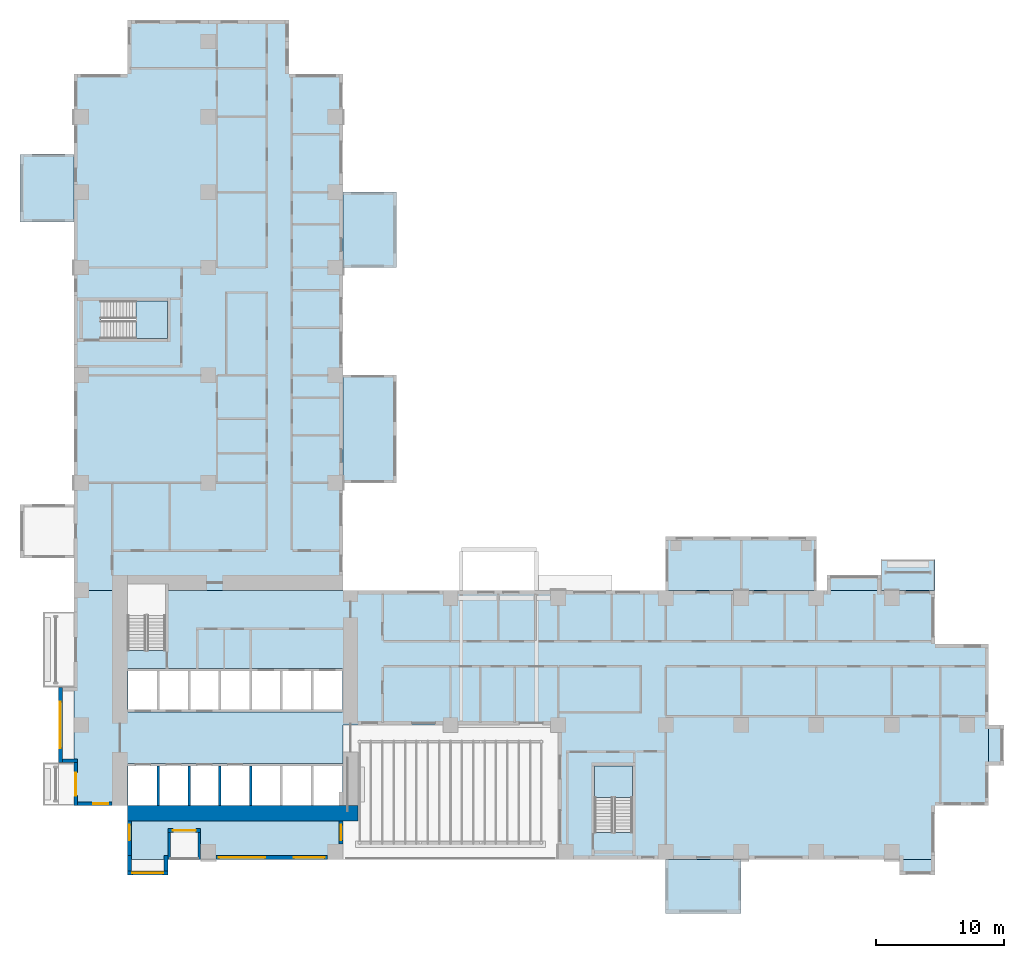
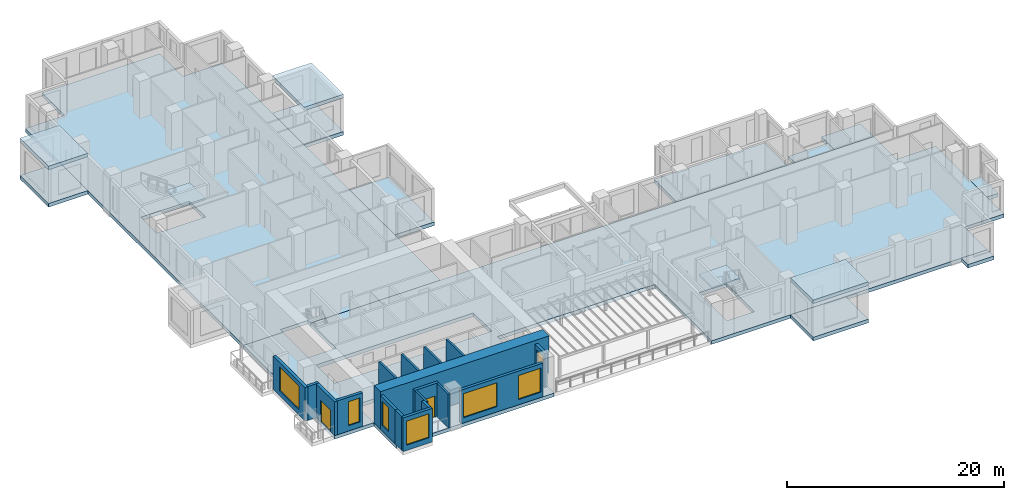
# One storey, part 3 of 17: 18 walls, 16 slabs, 7 windows, 2 doors, 9 openings, 2 elements without a shape of their own.
"""IFC4 building model written with IfcOpenShell, lengths in metres."""

from ifc_helpers import new_model, si_unit, direction, frame, frame_2d, origin, place, context, subcontext, project, spatial, polyline, rectangle, outline, extrude, source, transform, mapped, material, layer, layer_set, type_object, element, fill, aggregate, save


model = new_model("IFC4")

# Units and contexts
model_context = context("Model", 3, precision=1e-05, world=origin(), true_north=direction((0.0, 1.0)))
body_context = subcontext(model_context, "Body", "Model", "MODEL_VIEW")
ifc_project = project(units=[si_unit("LENGTHUNIT", "METRE"), si_unit("AREAUNIT", "SQUARE_METRE"), si_unit("VOLUMEUNIT", "CUBIC_METRE"), si_unit("PLANEANGLEUNIT", "RADIAN"), si_unit("MASSUNIT", "GRAM", prefix="KILO")], contexts=[model_context])

# Site, building, storey
site_placement = place(None, origin())
site = spatial("IfcSite", under=ifc_project, at=site_placement, CompositionType="ELEMENT")
building_placement = place(site_placement, origin())
building = spatial("IfcBuilding", under=site, at=building_placement, Name="Aurelian Terraces", CompositionType="ELEMENT")
storey_placement = place(building_placement, frame((0.0, 0.0, 48.9)))
storey = spatial("IfcBuildingStorey", under=building, at=storey_placement, Name="L09", CompositionType="ELEMENT", Elevation=48.9)

# Slabs
ifc_material_1 = material(Name="Concrete fc' 40 MPa", Category="concrete")
ifc_layer_1 = layer(ifc_material_1, 0.4)
ifc_layer_set_1 = layer_set([ifc_layer_1], Name="Balcony slab 400")
slab_type_1 = type_object("IfcSlabType", Name="Balcony slab 400", PredefinedType="NOTDEFINED", material=ifc_layer_set_1)
slab_1_placement = place(storey_placement, frame((0.0, 0.0, -0.4)))
element("IfcSlab", 1, at=slab_1_placement, inside=storey, type_object=slab_type_1, Name="Balcony slab L09 F11.22", PredefinedType="NOTDEFINED", context=body_context, shape_type="SweptSolid", body=[
    extrude(outline(polyline([(67.2, 21.0), (63.0, 21.0), (63.0, 23.4), (67.2, 23.4), (67.2, 21.0)])), origin(), (0.0, 0.0, 1.0), 0.4),
])
ifc_layer_2 = layer(ifc_material_1, 0.4)
ifc_layer_set_2 = layer_set([ifc_layer_2], Name="Bay floor 400")
slab_type_2 = type_object("IfcSlabType", Name="Bay floor 400", PredefinedType="NOTDEFINED", material=ifc_layer_set_2)
slab_2_placement = place(storey_placement, frame((0.0, 0.0, -0.4)))
element("IfcSlab", 2, at=slab_2_placement, inside=storey, type_object=slab_type_2, Name="Bay floor L09 F05.13", PredefinedType="NOTDEFINED", context=body_context, shape_type="SweptSolid", body=[
    extrude(outline(polyline([(64.44, 0.0), (67.2, 0.0), (67.2, -1.2), (64.44, -1.2), (64.44, 0.0)])), origin(), (0.0, 0.0, 1.0), 0.4),
])
ifc_layer_3 = layer(ifc_material_1, 0.41)
ifc_layer_set_3 = layer_set([ifc_layer_3], Name="Box floor 410")
slab_type_3 = type_object("IfcSlabType", Name="Box floor 410", PredefinedType="NOTDEFINED", material=ifc_layer_set_3)
slab_3_placement = place(storey_placement, frame((0.0, 0.0, -0.41)))
element("IfcSlab", 3, at=slab_3_placement, inside=storey, type_object=slab_type_3, Name="Box floor L09 J05", PredefinedType="NOTDEFINED", context=body_context, shape_type="SweptSolid", body=[
    extrude(outline(polyline([(25.2, 29.4), (25.2, 37.8), (21.0, 37.8), (21.0, 29.4), (25.2, 29.4)])), origin(), (0.0, 0.0, 1.0), 0.41),
])
slab_4_placement = place(storey_placement, frame((0.0, 0.0, -0.41)))
element("IfcSlab", 4, at=slab_4_placement, inside=storey, type_object=slab_type_3, Name="Box floor L09 K01", PredefinedType="NOTDEFINED", context=body_context, shape_type="SweptSolid", body=[
    extrude(outline(polyline([(57.96, 25.2), (46.2, 25.2), (46.2, 21.0), (57.96, 21.0), (57.96, 25.2)])), origin(), (0.0, 0.0, 1.0), 0.41),
])
ifc_layer_4 = layer(ifc_material_1, 0.4)
ifc_layer_set_4 = layer_set([ifc_layer_4], Name="Box roof 400")
slab_type_4 = type_object("IfcSlabType", Name="Box roof 400", PredefinedType="ROOF", material=ifc_layer_set_4)
slab_5_placement = place(storey_placement, frame((0.0, 0.0, 3.8)))
element("IfcSlab", 5, at=slab_5_placement, inside=storey, type_object=slab_type_4, Name="Box roof J01", PredefinedType="ROOF", context=body_context, shape_type="SweptSolid", body=[
    extrude(outline(polyline([(46.2, -4.2), (52.08, -4.2), (52.08, 0.0), (46.2, 0.0), (46.2, -4.2)])), origin(), (0.0, 0.0, 1.0), 0.4),
])
slab_6_placement = place(storey_placement, frame((0.0, 0.0, 3.8)))
element("IfcSlab", 6, at=slab_6_placement, inside=storey, type_object=slab_type_4, Name="Box roof J02", PredefinedType="ROOF", context=body_context, shape_type="SweptSolid", body=[
    extrude(outline(polyline([(25.2, 46.2), (25.2, 52.08), (21.0, 52.08), (21.0, 46.2), (25.2, 46.2)])), origin(), (0.0, 0.0, 1.0), 0.4),
])
slab_7_placement = place(storey_placement, frame((0.0, 0.0, 3.8)))
element("IfcSlab", 7, at=slab_7_placement, inside=storey, type_object=slab_type_4, Name="Box roof J04", PredefinedType="ROOF", context=body_context, shape_type="SweptSolid", body=[
    extrude(outline(polyline([(-4.2, 55.02), (-4.2, 49.77), (0.0, 49.77), (0.0, 55.02), (-4.2, 55.02)])), origin(), (0.0, 0.0, 1.0), 0.4),
])
ifc_layer_5 = layer(ifc_material_1, 0.4)
ifc_layer_set_5 = layer_set([ifc_layer_5], Name="PT FLAT PLATE 400")
slab_type_5 = type_object("IfcSlabType", Name="PT FLAT PLATE 400", PredefinedType="FLOOR", material=ifc_layer_set_5)
slab_8_placement = place(storey_placement, frame((0.0, 0.0, -0.4)))
element("IfcSlab", 8, at=slab_8_placement, inside=storey, type_object=slab_type_5, Name="Floor slab S L09", PredefinedType="FLOOR", context=body_context, shape_type="SweptSolid", body=[
    extrude(outline(polyline([(71.4, 16.8), (71.4, 4.2), (67.2, 4.2), (67.2, 0.0), (37.8, 0.0), (37.8, 10.5), (21.0, 10.5), (21.0, 0.0), (4.2, 0.0), (4.2, 4.2), (0.0, 4.2), (0.0, 21.0), (4.21, 21.0), (4.21, 16.31), (7.14, 16.31), (7.14, 21.0), (21.0, 21.0), (67.2, 21.0), (67.2, 16.8), (71.4, 16.8)]), holes=[polyline([(40.66, 2.11), (43.59, 2.11), (43.59, 7.29), (40.66, 7.29), (40.66, 2.11)]), polyline([(4.21, 7.49), (4.21, 4.21), (20.99, 4.21), (20.99, 7.49), (4.21, 7.49)]), polyline([(4.21, 14.89), (4.21, 11.51), (20.99, 11.51), (20.99, 14.89), (4.21, 14.89)])]), origin(), (0.0, 0.0, 1.0), 0.4),
])
shared_shape_1 = source(origin(), body_context, "Body", "SweptSolid", [
    extrude(outline(polyline([(7.14, 21.0), (7.14, 21.49), (4.21, 21.49), (4.21, 21.0), (0.0, 21.0), (0.0, 61.32), (4.2, 61.32), (4.2, 65.52), (16.8, 65.52), (16.8, 61.32), (21.0, 61.32), (21.0, 21.0), (7.14, 21.0)]), holes=[polyline([(7.29, 43.59), (2.11, 43.59), (2.11, 40.66), (7.29, 40.66), (7.29, 43.59)])]), origin(), (0.0, 0.0, 1.0), 0.4),
])
slab_9_placement = place(storey_placement, frame((0.0, 0.0, -0.4)))
element("IfcSlab", 9, at=slab_9_placement, inside=storey, type_object=slab_type_5, Name="Floor slab W L09", PredefinedType="FLOOR", context=body_context, shape_type="MappedRepresentation", body=[
    mapped(shared_shape_1, transform((0.0, 0.0, 0.0), scale=1.0)),
])
shared_shape_2 = source(origin(), body_context, "Body", "SweptSolid", [
    extrude(outline(polyline([(63.0, 21.0), (58.8, 21.0), (58.8, 22.2), (63.0, 22.2), (63.0, 21.0)])), origin(), (0.0, 0.0, 1.0), 0.4),
])
slab_10_placement = place(storey_placement, frame((0.0, 0.0, -0.4)))
element("IfcSlab", 10, at=slab_10_placement, inside=storey, type_object=slab_type_2, Name="Bay floor L09 F11.23", PredefinedType="NOTDEFINED", context=body_context, shape_type="MappedRepresentation", body=[
    mapped(shared_shape_2, transform((0.0, 0.0, 0.0), scale=1.0)),
])
shared_shape_3 = source(origin(), body_context, "Body", "SweptSolid", [
    extrude(outline(polyline([(46.2, -4.2), (52.08, -4.2), (52.08, 0.0), (46.2, 0.0), (46.2, -4.2)])), origin(), (0.0, 0.0, 1.0), 0.41),
])
slab_11_placement = place(storey_placement, frame((0.0, 0.0, -0.41)))
element("IfcSlab", 11, at=slab_11_placement, inside=storey, type_object=slab_type_3, Name="Box floor L09 J01", PredefinedType="NOTDEFINED", context=body_context, shape_type="MappedRepresentation", body=[
    mapped(shared_shape_3, transform((0.0, 0.0, 0.0), scale=1.0)),
])
shared_shape_4 = source(origin(), body_context, "Body", "SweptSolid", [
    extrude(outline(polyline([(25.2, 46.2), (25.2, 52.08), (21.0, 52.08), (21.0, 46.2), (25.2, 46.2)])), origin(), (0.0, 0.0, 1.0), 0.41),
])
slab_12_placement = place(storey_placement, frame((0.0, 0.0, -0.41)))
element("IfcSlab", 12, at=slab_12_placement, inside=storey, type_object=slab_type_3, Name="Box floor L09 J02", PredefinedType="NOTDEFINED", context=body_context, shape_type="MappedRepresentation", body=[
    mapped(shared_shape_4, transform((0.0, 0.0, 0.0), scale=1.0)),
])
shared_shape_5 = source(origin(), body_context, "Body", "SweptSolid", [
    extrude(outline(polyline([(-4.2, 55.02), (-4.2, 49.77), (0.0, 49.77), (0.0, 55.02), (-4.2, 55.02)])), origin(), (0.0, 0.0, 1.0), 0.41),
])
slab_13_placement = place(storey_placement, frame((0.0, 0.0, -0.41)))
element("IfcSlab", 13, at=slab_13_placement, inside=storey, type_object=slab_type_3, Name="Box floor L09 J04", PredefinedType="NOTDEFINED", context=body_context, shape_type="MappedRepresentation", body=[
    mapped(shared_shape_5, transform((0.0, 0.0, 0.0), scale=1.0)),
])
shared_shape_6 = source(origin(), body_context, "Body", "SweptSolid", [
    extrude(outline(polyline([(71.4, 7.35), (71.4, 10.5), (72.6, 10.5), (72.6, 7.35), (71.4, 7.35)])), origin(), (0.0, 0.0, 1.0), 0.4),
])
slab_14_placement = place(storey_placement, frame((0.0, 0.0, -0.4)))
element("IfcSlab", 14, at=slab_14_placement, inside=storey, type_object=slab_type_2, Name="Bay floor L09 F08.18", PredefinedType="NOTDEFINED", context=body_context, shape_type="MappedRepresentation", body=[
    mapped(shared_shape_6, transform((0.0, 0.0, 0.0), scale=1.0)),
])

# Stair, slab
stair_type = type_object("IfcStairType", Name="Stair 1400", PredefinedType="HALF_TURN_STAIR", material=ifc_material_1)
stair_1_placement = place(storey_placement, origin())
stair_1 = element("IfcStair", 15, at=stair_1_placement, inside=storey, type_object=stair_type, Name="L09 S2", PredefinedType="HALF_TURN_STAIR")
ifc_layer_6 = layer(ifc_material_1, 0.2)
ifc_layer_set_6 = layer_set([ifc_layer_6], Name="Stair landing 200")
slab_type_6 = type_object("IfcSlabType", Name="Stair landing 200", PredefinedType="LANDING", material=ifc_layer_set_6)
shared_shape_7 = source(origin(), body_context, "Body", "SweptSolid", [
    extrude(outline(polyline([(43.6, 4.85), (43.6, 7.3), (40.65, 7.3), (40.65, 4.85), (43.6, 4.85)])), origin(), (0.0, 0.0, 1.0), 0.2),
])
slab_15_placement = place(storey_placement, frame((0.0, 0.0, 1.9)))
slab_15 = element("IfcSlab", 16, at=slab_15_placement, type_object=slab_type_6, Name="S2 landing 1", PredefinedType="LANDING", context=body_context, shape_type="MappedRepresentation", body=[
    mapped(shared_shape_7, transform((0.0, 0.0, 0.0), scale=1.0)),
])
aggregate(stair_1, [slab_15])

stair_2_placement = place(storey_placement, origin())
stair_2 = element("IfcStair", 17, at=stair_2_placement, inside=storey, type_object=stair_type, Name="L09 S3", PredefinedType="HALF_TURN_STAIR")
shared_shape_8 = source(origin(), body_context, "Body", "SweptSolid", [
    extrude(outline(polyline([(4.85, 40.65), (7.3, 40.65), (7.3, 43.6), (4.85, 43.6), (4.85, 40.65)])), origin(), (0.0, 0.0, 1.0), 0.2),
])
slab_16_placement = place(storey_placement, frame((0.0, 0.0, 1.9)))
slab_16 = element("IfcSlab", 18, at=slab_16_placement, type_object=slab_type_6, Name="S3 landing 1", PredefinedType="LANDING", context=body_context, shape_type="MappedRepresentation", body=[
    mapped(shared_shape_8, transform((0.0, 0.0, 0.0), scale=1.0)),
])
aggregate(stair_2, [slab_16])

# Wall, openings, windows
ifc_material_2 = material(Name="Terracotta rainscreen cladding", Category="masonry")
ifc_layer_7 = layer(ifc_material_2, 0.3)
ifc_layer_set_7 = layer_set([ifc_layer_7], Name="EW-300")
wall_type_1 = type_object("IfcWallType", Name="EW-300", PredefinedType="STANDARD", material=ifc_layer_set_7)
wall_1_placement = place(storey_placement, frame((11.1, 0.15, 0.0), z_axis=(0.0, 0.0, 1.0), x_axis=(1.0, 0.0, 0.0)))
wall_1 = element("IfcWall", 19, at=wall_1_placement, inside=storey, type_object=wall_type_1, Name="External wall L09 F01.3", PredefinedType="STANDARD", context=body_context, shape_type="SweptSolid", body=[
    extrude(rectangle(XDim=8.7, YDim=0.3, at=frame_2d((4.35, 0.0))), origin(), (0.0, 0.0, 1.0), 3.8),
])
shared_shape_9 = source(origin(), body_context, "Body", "SweptSolid", [
    extrude(rectangle(XDim=3.6, YDim=2.7, at=frame_2d((1.8, 1.35))), frame((0.0, 0.16, 0.0), z_axis=(0.0, -1.0, 0.0), x_axis=(1.0, 0.0, 0.0)), (0.0, 0.0, 1.0), 0.32),
])
opening_1_placement = place(wall_1_placement, frame((0.225, 0.0, 0.6)))
opening_1 = element("IfcOpeningElement", 20, at=opening_1_placement, cuts=wall_1, Name="Opening W3627", PredefinedType="OPENING", context=body_context, shape_type="MappedRepresentation", body=[
    mapped(shared_shape_9, transform((0.0, 0.0, 0.0), scale=1.0)),
])
shared_shape_10 = source(origin(), body_context, "Body", "SweptSolid", [
    extrude(rectangle(XDim=2.4, YDim=2.7, at=frame_2d((1.2, 1.35))), frame((0.0, 0.16, 0.0), z_axis=(0.0, -1.0, 0.0), x_axis=(1.0, 0.0, 0.0)), (0.0, 0.0, 1.0), 0.32),
])
opening_2_placement = place(wall_1_placement, frame((6.075, 0.0, 0.6)))
opening_2 = element("IfcOpeningElement", 21, at=opening_2_placement, cuts=wall_1, Name="Opening W2427", PredefinedType="OPENING", context=body_context, shape_type="MappedRepresentation", body=[
    mapped(shared_shape_10, transform((0.0, 0.0, 0.0), scale=1.0)),
])
ifc_material_3 = material(Name="Clear glazing", Category="glass")
window_type_1 = type_object("IfcWindowType", Name="W-3600x2700", PartitioningType="SINGLE_PANEL", PredefinedType="WINDOW", material=ifc_material_3)
shared_shape_11 = source(origin(), body_context, "Body", "SweptSolid", [
    extrude(rectangle(XDim=3.6, YDim=2.7, at=frame_2d((1.8, 1.35))), frame((0.0, 0.03, 0.0), z_axis=(0.0, -1.0, 0.0), x_axis=(1.0, 0.0, 0.0)), (0.0, 0.0, 1.0), 0.06),
])
window_1_placement = place(opening_1_placement, origin())
window_1 = element("IfcWindow", 22, at=window_1_placement, inside=storey, type_object=window_type_1, Name="Window L09 L09-F01-03-0", OverallHeight=2.7, OverallWidth=3.6, PartitioningType="SINGLE_PANEL", PredefinedType="WINDOW", context=body_context, shape_type="MappedRepresentation", body=[
    mapped(shared_shape_11, transform((0.0, 0.0, 0.0), scale=1.0)),
])
fill(opening_1, window_1)
window_type_2 = type_object("IfcWindowType", Name="W-2400x2700", PartitioningType="SINGLE_PANEL", PredefinedType="WINDOW", material=ifc_material_3)
shared_shape_12 = source(origin(), body_context, "Body", "SweptSolid", [
    extrude(rectangle(XDim=2.4, YDim=2.7, at=frame_2d((1.2, 1.35))), frame((0.0, 0.03, 0.0), z_axis=(0.0, -1.0, 0.0), x_axis=(1.0, 0.0, 0.0)), (0.0, 0.0, 1.0), 0.06),
])
window_2_placement = place(opening_2_placement, origin())
window_2 = element("IfcWindow", 23, at=window_2_placement, inside=storey, type_object=window_type_2, Name="Window L09 L09-F01-03-1", OverallHeight=2.7, OverallWidth=2.4, PartitioningType="SINGLE_PANEL", PredefinedType="WINDOW", context=body_context, shape_type="MappedRepresentation", body=[
    mapped(shared_shape_12, transform((0.0, 0.0, 0.0), scale=1.0)),
])
fill(opening_2, window_2)

# Wall
ifc_material_4 = material(Name="Concrete fc' 83 MPa", Category="concrete")
ifc_layer_8 = layer(ifc_material_4, 1.2)
ifc_layer_set_8 = layer_set([ifc_layer_8], Name="CORE WALL 1200 FC83")
wall_type_2 = type_object("IfcWallType", Name="CORE WALL 1200 FC83", PredefinedType="SHEAR", material=ifc_layer_set_8)
shared_shape_13 = source(origin(), body_context, "Body", "SweptSolid", [
    extrude(rectangle(XDim=18.0, YDim=1.2, at=frame_2d((9.0, 0.0))), origin(), (0.0, 0.0, 1.0), 4.2),
])
wall_2_placement = place(storey_placement, frame((4.2, 3.6, 0.0), z_axis=(0.0, 0.0, 1.0), x_axis=(1.0, 0.0, 0.0)))
element("IfcWall", 24, at=wall_2_placement, inside=storey, type_object=wall_type_2, Name="Core wall S L09", PredefinedType="SHEAR", context=body_context, shape_type="MappedRepresentation", body=[
    mapped(shared_shape_13, transform((0.0, 0.0, 0.0), scale=1.0)),
])

# Wall, opening, window
shared_shape_14 = source(origin(), body_context, "Body", "SweptSolid", [
    extrude(rectangle(XDim=3.15, YDim=0.3, at=frame_2d((1.575, 0.0))), origin(), (0.0, 0.0, 1.0), 3.8),
])
wall_3_placement = place(storey_placement, frame((4.2, -1.05, 0.0), z_axis=(0.0, 0.0, 1.0), x_axis=(1.0, 0.0, 0.0)))
wall_3 = element("IfcWall", 25, at=wall_3_placement, inside=storey, type_object=wall_type_1, Name="Bay wall L09 F01.1", PredefinedType="STANDARD", context=body_context, shape_type="MappedRepresentation", body=[
    mapped(shared_shape_14, transform((0.0, 0.0, 0.0), scale=1.0)),
])
opening_3_placement = place(wall_3_placement, frame((0.375, 0.0, 0.6)))
opening_3 = element("IfcOpeningElement", 26, at=opening_3_placement, cuts=wall_3, Name="Opening W2427", PredefinedType="OPENING", context=body_context, shape_type="MappedRepresentation", body=[
    mapped(shared_shape_10, transform((0.0, 0.0, 0.0), scale=1.0)),
])
window_3_placement = place(opening_3_placement, origin())
window_3 = element("IfcWindow", 27, at=window_3_placement, inside=storey, type_object=window_type_2, Name="Window L09 L09-F01-01-0", OverallHeight=2.7, OverallWidth=2.4, PartitioningType="SINGLE_PANEL", PredefinedType="WINDOW", context=body_context, shape_type="MappedRepresentation", body=[
    mapped(shared_shape_12, transform((0.0, 0.0, 0.0), scale=1.0)),
])
fill(opening_3, window_3)

# Walls
shared_shape_15 = source(origin(), body_context, "Body", "SweptSolid", [
    extrude(rectangle(XDim=1.2, YDim=0.3, at=frame_2d((0.6, 0.0))), origin(), (0.0, 0.0, 1.0), 3.8),
])
for number, where, z_axis, x_axis, name in (
    (28, (4.35, 0.3, 0.0), (0.0, 0.0, 1.0), (0.0, -1.0, 0.0), "Bay return L09 F01.1.1"),
    (29, (7.2, 0.3, 0.0), (0.0, 0.0, 1.0), (0.0, -1.0, 0.0), "Bay return L09 F01.1.2"),
    (30, (0.3, 7.71, 0.0), (0.0, 0.0, 1.0), (-1.0, 0.0, 0.0), "Bay return L09 F18.42.2"),
):
    element("IfcWall", number, at=place(storey_placement, frame(where, z_axis=z_axis, x_axis=x_axis)), inside=storey, type_object=wall_type_1, Name=name, PredefinedType="STANDARD", context=body_context, shape_type="MappedRepresentation", body=[
        mapped(shared_shape_15, transform((0.0, 0.0, 0.0), scale=1.0)),
    ])

# Wall, opening, window
shared_shape_16 = source(origin(), body_context, "Body", "SweptSolid", [
    extrude(rectangle(XDim=5.88, YDim=0.3, at=frame_2d((2.94, 0.0))), origin(), (0.0, 0.0, 1.0), 3.8),
])
wall_4_placement = place(storey_placement, frame((-1.05, 13.44, 0.0), z_axis=(0.0, 0.0, 1.0), x_axis=(0.0, -1.0, 0.0)))
wall_4 = element("IfcWall", 31, at=wall_4_placement, inside=storey, type_object=wall_type_1, Name="Bay wall L09 F18.42", PredefinedType="STANDARD", context=body_context, shape_type="MappedRepresentation", body=[
    mapped(shared_shape_16, transform((0.0, 0.0, 0.0), scale=1.0)),
])
opening_4_placement = place(wall_4_placement, frame((1.14, 0.0, 0.6)))
opening_4 = element("IfcOpeningElement", 32, at=opening_4_placement, cuts=wall_4, Name="Opening W3627", PredefinedType="OPENING", context=body_context, shape_type="MappedRepresentation", body=[
    mapped(shared_shape_9, transform((0.0, 0.0, 0.0), scale=1.0)),
])
window_4_placement = place(opening_4_placement, origin())
window_4 = element("IfcWindow", 33, at=window_4_placement, inside=storey, type_object=window_type_1, Name="Window L09 L09-F18-42-0", OverallHeight=2.7, OverallWidth=3.6, PartitioningType="SINGLE_PANEL", PredefinedType="WINDOW", context=body_context, shape_type="MappedRepresentation", body=[
    mapped(shared_shape_11, transform((0.0, 0.0, 0.0), scale=1.0)),
])
fill(opening_4, window_4)

# Walls
ifc_layer_9 = layer(ifc_material_2, 0.2)
ifc_layer_set_9 = layer_set([ifc_layer_9], Name="EW-200")
wall_type_3 = type_object("IfcWallType", Name="EW-200", PredefinedType="STANDARD", material=ifc_layer_set_9)
shared_shape_17 = source(origin(), body_context, "Body", "SweptSolid", [
    extrude(rectangle(XDim=2.1, YDim=0.2, at=frame_2d((1.05, 0.0))), origin(), (0.0, 0.0, 1.0), 3.8),
])
for number, where, z_axis, x_axis, name in (
    (34, (7.45, 0.0, 0.0), (0.0, 0.0, 1.0), (0.0, 1.0, 0.0), "Loggia return L09 F01.2.1"),
    (35, (9.8, 0.0, 0.0), (0.0, 0.0, 1.0), (0.0, 1.0, 0.0), "Loggia return L09 F01.2.2"),
):
    element("IfcWall", number, at=place(storey_placement, frame(where, z_axis=z_axis, x_axis=x_axis)), inside=storey, type_object=wall_type_3, Name=name, PredefinedType="STANDARD", context=body_context, shape_type="MappedRepresentation", body=[
        mapped(shared_shape_17, transform((0.0, 0.0, 0.0), scale=1.0)),
    ])

# Wall, opening, window
shared_shape_18 = source(origin(), body_context, "Body", "SweptSolid", [
    extrude(rectangle(XDim=1.8, YDim=0.3, at=frame_2d((0.9, 0.0))), origin(), (0.0, 0.0, 1.0), 3.8),
])
wall_5_placement = place(storey_placement, frame((20.85, 1.2, 0.0), z_axis=(0.0, 0.0, 1.0), x_axis=(0.0, 1.0, 0.0)))
wall_5 = element("IfcWall", 36, at=wall_5_placement, inside=storey, type_object=wall_type_1, Name="External wall L09 F02.4", PredefinedType="STANDARD", context=body_context, shape_type="MappedRepresentation", body=[
    mapped(shared_shape_18, transform((0.0, 0.0, 0.0), scale=1.0)),
])
shared_shape_19 = source(origin(), body_context, "Body", "SweptSolid", [
    extrude(rectangle(XDim=1.2, YDim=2.7, at=frame_2d((0.6, 1.35))), frame((0.0, 0.16, 0.0), z_axis=(0.0, -1.0, 0.0), x_axis=(1.0, 0.0, 0.0)), (0.0, 0.0, 1.0), 0.32),
])
opening_5_placement = place(wall_5_placement, frame((0.3, 0.0, 0.6)))
opening_5 = element("IfcOpeningElement", 37, at=opening_5_placement, cuts=wall_5, Name="Opening W1227", PredefinedType="OPENING", context=body_context, shape_type="MappedRepresentation", body=[
    mapped(shared_shape_19, transform((0.0, 0.0, 0.0), scale=1.0)),
])
window_type_3 = type_object("IfcWindowType", Name="W-1200x2700", PartitioningType="SINGLE_PANEL", PredefinedType="WINDOW", material=ifc_material_3)
shared_shape_20 = source(origin(), body_context, "Body", "SweptSolid", [
    extrude(rectangle(XDim=1.2, YDim=2.7, at=frame_2d((0.6, 1.35))), frame((0.0, 0.03, 0.0), z_axis=(0.0, -1.0, 0.0), x_axis=(1.0, 0.0, 0.0)), (0.0, 0.0, 1.0), 0.06),
])
window_5_placement = place(opening_5_placement, origin())
window_5 = element("IfcWindow", 38, at=window_5_placement, inside=storey, type_object=window_type_3, Name="Window L09 L09-F02-04-P0", OverallHeight=2.7, OverallWidth=1.2, PartitioningType="SINGLE_PANEL", PredefinedType="WINDOW", context=body_context, shape_type="MappedRepresentation", body=[
    mapped(shared_shape_20, transform((0.0, 0.0, 0.0), scale=1.0)),
])
fill(opening_5, window_5)

shared_shape_21 = source(origin(), body_context, "Body", "SweptSolid", [
    extrude(rectangle(XDim=3.0, YDim=0.3, at=frame_2d((1.5, 0.0))), origin(), (0.0, 0.0, 1.0), 3.8),
])
wall_6_placement = place(storey_placement, frame((0.0, 4.35, 0.0), z_axis=(0.0, 0.0, 1.0), x_axis=(1.0, 0.0, 0.0)))
wall_6 = element("IfcWall", 39, at=wall_6_placement, inside=storey, type_object=wall_type_1, Name="External wall L09 F19.44", PredefinedType="STANDARD", context=body_context, shape_type="MappedRepresentation", body=[
    mapped(shared_shape_21, transform((0.0, 0.0, 0.0), scale=1.0)),
])
opening_6_placement = place(wall_6_placement, frame((1.5, 0.0, 0.6)))
opening_6 = element("IfcOpeningElement", 40, at=opening_6_placement, cuts=wall_6, Name="Opening W1227", PredefinedType="OPENING", context=body_context, shape_type="MappedRepresentation", body=[
    mapped(shared_shape_19, transform((0.0, 0.0, 0.0), scale=1.0)),
])
window_6_placement = place(opening_6_placement, origin())
window_6 = element("IfcWindow", 41, at=window_6_placement, inside=storey, type_object=window_type_3, Name="Window L09 L09-F19-44-0", OverallHeight=2.7, OverallWidth=1.2, PartitioningType="SINGLE_PANEL", PredefinedType="WINDOW", context=body_context, shape_type="MappedRepresentation", body=[
    mapped(shared_shape_20, transform((0.0, 0.0, 0.0), scale=1.0)),
])
fill(opening_6, window_6)

wall_7_placement = place(storey_placement, frame((4.35, 3.0, 0.0), z_axis=(0.0, 0.0, 1.0), x_axis=(0.0, -1.0, 0.0)))
wall_7 = element("IfcWall", 42, at=wall_7_placement, inside=storey, type_object=wall_type_1, Name="External wall L09 F20.45", PredefinedType="STANDARD", context=body_context, shape_type="MappedRepresentation", body=[
    mapped(shared_shape_21, transform((0.0, 0.0, 0.0), scale=1.0)),
])
opening_7_placement = place(wall_7_placement, frame((0.3, 0.0, 0.6)))
opening_7 = element("IfcOpeningElement", 43, at=opening_7_placement, cuts=wall_7, Name="Opening W1227", PredefinedType="OPENING", context=body_context, shape_type="MappedRepresentation", body=[
    mapped(shared_shape_19, transform((0.0, 0.0, 0.0), scale=1.0)),
])
window_7_placement = place(opening_7_placement, origin())
window_7 = element("IfcWindow", 44, at=window_7_placement, inside=storey, type_object=window_type_3, Name="Window L09 L09-F20-45-0", OverallHeight=2.7, OverallWidth=1.2, PartitioningType="SINGLE_PANEL", PredefinedType="WINDOW", context=body_context, shape_type="MappedRepresentation", body=[
    mapped(shared_shape_20, transform((0.0, 0.0, 0.0), scale=1.0)),
])
fill(opening_7, window_7)

# Wall, opening, door
shared_shape_22 = source(origin(), body_context, "Body", "SweptSolid", [
    extrude(rectangle(XDim=2.55, YDim=0.3, at=frame_2d((1.275, 0.0))), origin(), (0.0, 0.0, 1.0), 3.8),
])
wall_8_placement = place(storey_placement, frame((7.35, 2.25, 0.0), z_axis=(0.0, 0.0, 1.0), x_axis=(1.0, 0.0, 0.0)))
wall_8 = element("IfcWall", 45, at=wall_8_placement, inside=storey, type_object=wall_type_1, Name="Loggia wall L09 F01.2", PredefinedType="STANDARD", context=body_context, shape_type="MappedRepresentation", body=[
    mapped(shared_shape_22, transform((0.0, 0.0, 0.0), scale=1.0)),
])
shared_shape_23 = source(origin(), body_context, "Body", "SweptSolid", [
    extrude(rectangle(XDim=1.8, YDim=2.4, at=frame_2d((0.9, 1.2))), frame((0.0, 0.16, 0.0), z_axis=(0.0, -1.0, 0.0), x_axis=(1.0, 0.0, 0.0)), (0.0, 0.0, 1.0), 0.32),
])
opening_8_placement = place(wall_8_placement, frame((0.375, 0.0, 0.0)))
opening_8 = element("IfcOpeningElement", 46, at=opening_8_placement, cuts=wall_8, Name="Opening 80901", PredefinedType="OPENING", context=body_context, shape_type="MappedRepresentation", body=[
    mapped(shared_shape_23, transform((0.0, 0.0, 0.0), scale=1.0)),
])
door_type = type_object("IfcDoorType", Name="BD-1800x2400", OperationType="SLIDING_TO_LEFT", PredefinedType="DOOR", material=ifc_material_3)
shared_shape_24 = source(origin(), body_context, "Body", "SweptSolid", [
    extrude(rectangle(XDim=1.8, YDim=2.4, at=frame_2d((0.9, 1.2))), frame((0.0, 0.025, 0.0), z_axis=(0.0, -1.0, 0.0), x_axis=(1.0, 0.0, 0.0)), (0.0, 0.0, 1.0), 0.05),
])
door_1_placement = place(opening_8_placement, origin())
door_1 = element("IfcDoor", 47, at=door_1_placement, inside=storey, type_object=door_type, Name="Balcony door L09 F01.2", OperationType="SLIDING_TO_LEFT", OverallHeight=2.4, OverallWidth=1.8, PredefinedType="DOOR", context=body_context, shape_type="MappedRepresentation", body=[
    mapped(shared_shape_24, transform((0.0, 0.0, 0.0), scale=1.0)),
])
fill(opening_8, door_1)

shared_shape_25 = source(origin(), body_context, "Body", "SweptSolid", [
    extrude(rectangle(XDim=3.36, YDim=0.3, at=frame_2d((1.68, 0.0))), origin(), (0.0, 0.0, 1.0), 3.8),
])
wall_9_placement = place(storey_placement, frame((0.15, 7.56, 0.0), z_axis=(0.0, 0.0, 1.0), x_axis=(0.0, -1.0, 0.0)))
wall_9 = element("IfcWall", 48, at=wall_9_placement, inside=storey, type_object=wall_type_1, Name="External wall L09 F18.43", PredefinedType="STANDARD", context=body_context, shape_type="MappedRepresentation", body=[
    mapped(shared_shape_25, transform((0.0, 0.0, 0.0), scale=1.0)),
])
opening_9_placement = place(wall_9_placement, frame((0.78, 0.0, 0.0)))
opening_9 = element("IfcOpeningElement", 49, at=opening_9_placement, cuts=wall_9, Name="Opening 80906", PredefinedType="OPENING", context=body_context, shape_type="MappedRepresentation", body=[
    mapped(shared_shape_23, transform((0.0, 0.0, 0.0), scale=1.0)),
])
door_2_placement = place(opening_9_placement, origin())
door_2 = element("IfcDoor", 50, at=door_2_placement, inside=storey, type_object=door_type, Name="Balcony door L09 F18.43", OperationType="SLIDING_TO_LEFT", OverallHeight=2.4, OverallWidth=1.8, PredefinedType="DOOR", context=body_context, shape_type="MappedRepresentation", body=[
    mapped(shared_shape_24, transform((0.0, 0.0, 0.0), scale=1.0)),
])
fill(opening_9, door_2)

# Walls
ifc_layer_10 = layer(ifc_material_1, 0.2)
ifc_layer_set_10 = layer_set([ifc_layer_10], Name="Lift shaft wall 200")
wall_type_4 = type_object("IfcWallType", Name="Lift shaft wall 200", PredefinedType="SOLIDWALL", material=ifc_layer_set_10)
shared_shape_26 = source(origin(), body_context, "Body", "SweptSolid", [
    extrude(rectangle(XDim=3.1, YDim=0.2, at=frame_2d((1.55, 0.0))), origin(), (0.0, 0.0, 1.0), 4.2),
])
for number, where, z_axis, x_axis, name in (
    (51, (6.6, 4.2, 0.0), (0.0, 0.0, 1.0), (0.0, 1.0, 0.0), "L09 core wall CD-A1"),
    (52, (9.0, 4.2, 0.0), (0.0, 0.0, 1.0), (0.0, 1.0, 0.0), "L09 core wall CD-A2"),
    (53, (11.4, 4.2, 0.0), (0.0, 0.0, 1.0), (0.0, 1.0, 0.0), "L09 core wall CD-A3"),
    (54, (13.8, 4.2, 0.0), (0.0, 0.0, 1.0), (0.0, 1.0, 0.0), "L09 core wall CD-A4"),
):
    element("IfcWall", number, at=place(storey_placement, frame(where, z_axis=z_axis, x_axis=x_axis)), inside=storey, type_object=wall_type_4, Name=name, PredefinedType="SOLIDWALL", context=body_context, shape_type="MappedRepresentation", body=[
        mapped(shared_shape_26, transform((0.0, 0.0, 0.0), scale=1.0)),
    ])

save(model, "model.ifc")
